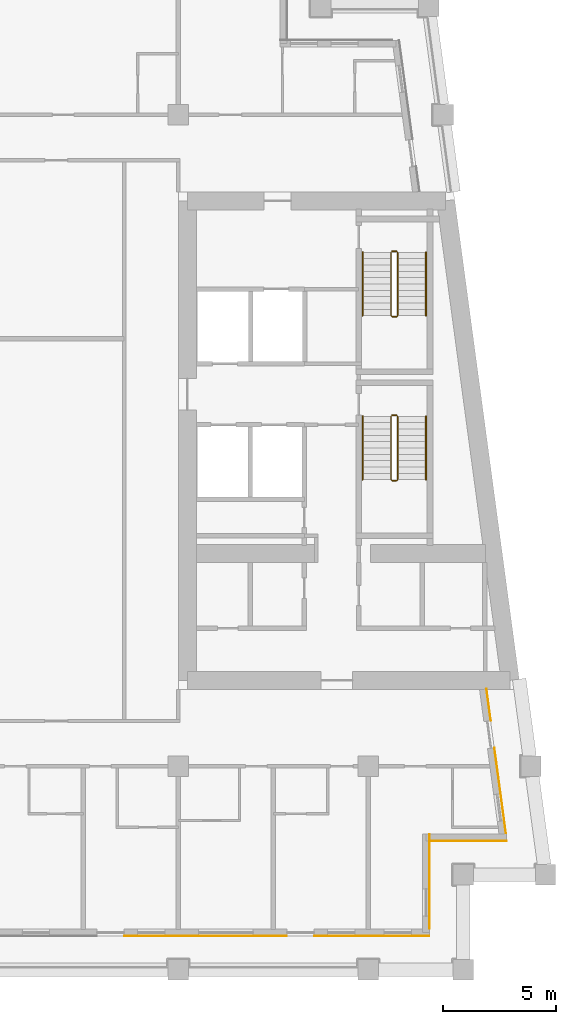
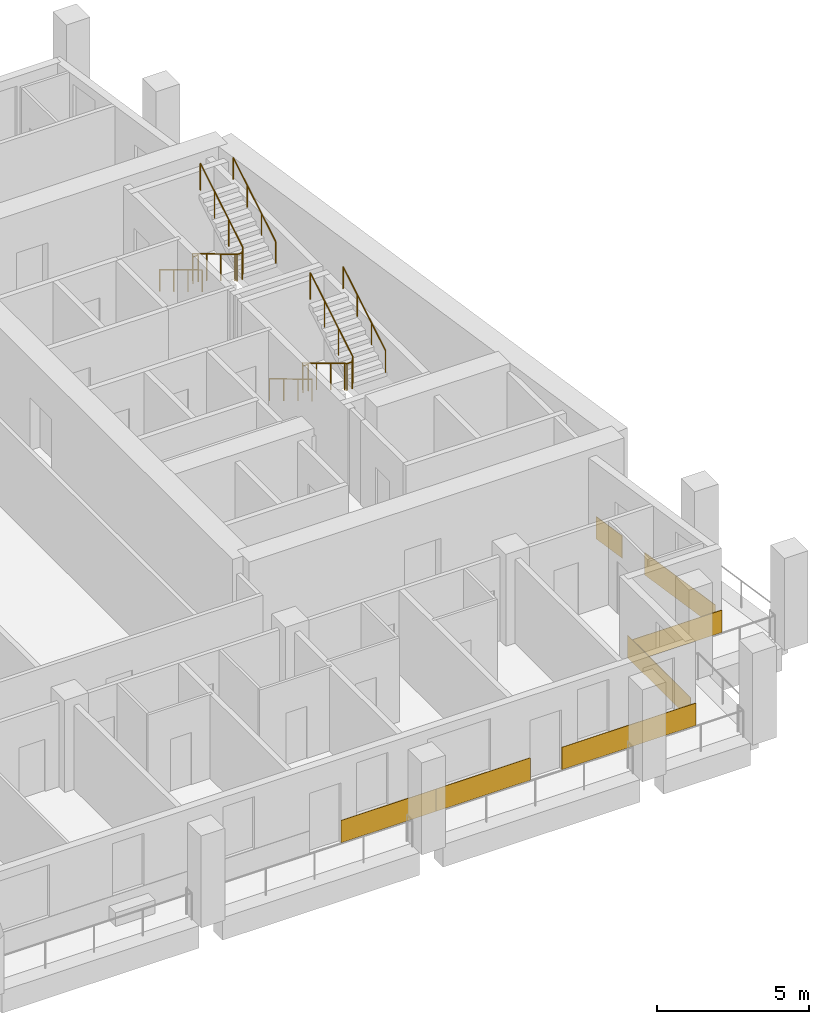
# One storey, part 11 of 13: 8 railings, 7 coverings.
"""IFC4 building model written with IfcOpenShell, lengths in metres."""

from ifc_helpers import new_model, si_unit, direction, frame, origin, origin_2d, place, context, subcontext, project, spatial, rectangle, circle, extrude, material, layer, layer_set, type_object, element, save


model = new_model("IFC4")

# Units and contexts
model_context = context("Model", 3, precision=1e-05, world=origin(), true_north=direction((0.0, 1.0)))
body_context = subcontext(model_context, "Body", "Model", "MODEL_VIEW")
ifc_project = project(units=[si_unit("LENGTHUNIT", "METRE"), si_unit("AREAUNIT", "SQUARE_METRE"), si_unit("VOLUMEUNIT", "CUBIC_METRE"), si_unit("PLANEANGLEUNIT", "RADIAN"), si_unit("MASSUNIT", "GRAM", prefix="KILO")], contexts=[model_context])

# Site, building, storey
site_placement = place(None, origin())
site = spatial("IfcSite", under=ifc_project, at=site_placement, CompositionType="ELEMENT")
building_placement = place(site_placement, origin())
building = spatial("IfcBuilding", under=site, at=building_placement, Name="Candeia Pilgrim Tower and Theatre", CompositionType="ELEMENT")
storey_placement = place(building_placement, frame((0.0, 0.0, 220.699951171875)))
storey = spatial("IfcBuildingStorey", under=building, at=storey_placement, Name="L53", CompositionType="ELEMENT", Elevation=220.699951171875)

# Coverings
ifc_material_1 = material(Name="Glazed ceramic tile bottle green")
ifc_layer_1 = layer(ifc_material_1, 0.02001953125)
ifc_layer_set_1 = layer_set([ifc_layer_1], Name="Glazed ceramic tile bottle green")
covering_type_1 = type_object("IfcCoveringType", Name="Glazed ceramic tile bottle green", PredefinedType="CLADDING", material=ifc_layer_set_1)
covering_1_placement = place(storey_placement, frame((125.39990234375, 99.489990234375, 0.0), z_axis=(0.0, 0.0, 1.0), x_axis=(1.0, 0.0, 0.0)))
element("IfcCovering", 1, at=covering_1_placement, inside=storey, type_object=covering_type_1, Name="Tile cladding bottle green L53", PredefinedType="CLADDING", context=body_context, shape_type="SweptSolid", body=[
    extrude(rectangle(XDim=3.60009765625, YDim=0.02001953125, at=origin_2d()), origin(), (0.0, 0.0, 1.0), 0.89990234375),
])
covering_2_placement = place(storey_placement, frame((137.110107421875, 101.909912109375, 0.0), z_axis=(0.0, 0.0, 1.0), x_axis=(0.0, 1.0, 0.0)))
element("IfcCovering", 2, at=covering_2_placement, inside=storey, type_object=covering_type_1, Name="Tile cladding bottle green L53", PredefinedType="CLADDING", context=body_context, shape_type="SweptSolid", body=[
    extrude(rectangle(XDim=4.179931640625, YDim=0.02001953125, at=origin_2d()), origin(), (0.0, 0.0, 1.0), 0.89990234375),
])
covering_3_placement = place(storey_placement, frame((140.228515625, 105.933349609375, 0.0), z_axis=(0.0, 0.0, 1.0), x_axis=(-0.133412012145, 0.991060661622, 0.0)))
element("IfcCovering", 3, at=covering_3_placement, inside=storey, type_object=covering_type_1, Name="Tile cladding bottle green L53", PredefinedType="CLADDING", context=body_context, shape_type="SweptSolid", body=[
    extrude(rectangle(XDim=3.821044921875, YDim=0.02001953125, at=origin_2d()), origin(), (0.0, 0.0, 1.0), 0.89990234375),
])
covering_4_placement = place(storey_placement, frame((139.718994140625, 109.71875, 0.0), z_axis=(0.0, 0.0, 1.0), x_axis=(-0.133412012145, 0.991060661622, 0.0)))
element("IfcCovering", 4, at=covering_4_placement, inside=storey, type_object=covering_type_1, Name="Tile cladding bottle green L53", PredefinedType="CLADDING", context=body_context, shape_type="SweptSolid", body=[
    extrude(rectangle(XDim=1.41796875, YDim=0.02001953125, at=origin_2d()), origin(), (0.0, 0.0, 1.0), 0.89990234375),
])
ifc_material_2 = material(Name="Glazed ceramic tile rust")
ifc_layer_2 = layer(ifc_material_2, 0.02001953125)
ifc_layer_set_2 = layer_set([ifc_layer_2], Name="Glazed ceramic tile rust")
covering_type_2 = type_object("IfcCoveringType", Name="Glazed ceramic tile rust", PredefinedType="CLADDING", material=ifc_layer_set_2)
covering_5_placement = place(storey_placement, frame((129.0, 99.489990234375, 0.0), z_axis=(0.0, 0.0, 1.0), x_axis=(1.0, 0.0, 0.0)))
element("IfcCovering", 5, at=covering_5_placement, inside=storey, type_object=covering_type_2, Name="Tile cladding rust L53", PredefinedType="CLADDING", context=body_context, shape_type="SweptSolid", body=[
    extrude(rectangle(XDim=3.60009765625, YDim=0.02001953125, at=origin_2d()), origin(), (0.0, 0.0, 1.0), 0.89990234375),
])
covering_6_placement = place(storey_placement, frame((134.550048828125, 99.489990234375, 0.0), z_axis=(0.0, 0.0, 1.0), x_axis=(1.0, 0.0, 0.0)))
element("IfcCovering", 6, at=covering_6_placement, inside=storey, type_object=covering_type_2, Name="Tile cladding rust L53", PredefinedType="CLADDING", context=body_context, shape_type="SweptSolid", body=[
    extrude(rectangle(XDim=5.10009765625, YDim=0.02001953125, at=origin_2d()), origin(), (0.0, 0.0, 1.0), 0.89990234375),
])
covering_7_placement = place(storey_placement, frame((138.819580078125, 103.68994140625, 0.0), z_axis=(0.0, 0.0, 1.0), x_axis=(1.0, 0.0, 0.0)))
element("IfcCovering", 7, at=covering_7_placement, inside=storey, type_object=covering_type_2, Name="Tile cladding rust L53", PredefinedType="CLADDING", context=body_context, shape_type="SweptSolid", body=[
    extrude(rectangle(XDim=3.399169921875, YDim=0.02001953125, at=origin_2d()), origin(), (0.0, 0.0, 1.0), 0.89990234375),
])

# Railings
ifc_material_3 = material(Name="Stainless steel balustrade", Category="steel")
railing_type_1 = type_object("IfcRailingType", Name="RL-GUARD-1100", PredefinedType="GUARDRAIL", material=ifc_material_3)
railing_1_placement = place(storey_placement, frame((135.39794921875, 122.47509765625, 0.168212890625)))
element("IfcRailing", 8, at=railing_1_placement, inside=storey, type_object=railing_type_1, Name="L53 ST3 stair guard 1", PredefinedType="GUARDRAIL", context=body_context, shape_type="SweptSolid", body=[
    extrude(circle(Radius=0.02392578125, at=origin_2d()), frame((0.0, 0.0, 1.076171875), z_axis=(0.0, -0.857242210791, 0.514913383045), x_axis=(1.0, 0.0, 0.0)), (0.0, 0.0, 1.0), 3.266357421875),
    extrude(circle(Radius=0.02392578125, at=origin_2d()), frame((0.0, -2.800048828125, 2.7578125), z_axis=(0.707106781187, -0.707106781187, 0.0), x_axis=(0.707106781187, 0.707106781187, 0.0)), (0.0, 0.0, 1.0), 0.07080078125),
    extrude(circle(Radius=0.02392578125, at=origin_2d()), frame((0.050048828125, -2.85009765625, 2.7578125), z_axis=(1.0, 0.0, 0.0), x_axis=(0.0, 1.0, 0.0)), (0.0, 0.0, 1.0), 0.199951171875),
    extrude(circle(Radius=0.02392578125, at=origin_2d()), frame((0.25, -2.85009765625, 2.7578125), z_axis=(0.274243871929, 0.274243871929, 0.92172696468), x_axis=(-0.707106781187, 0.707106781187, 0.0)), (0.0, 0.0, 1.0), 0.1826171875),
    extrude(circle(Radius=0.02392578125, at=origin_2d()), frame((0.300048828125, -2.800048828125, 2.92626953125), z_axis=(0.0, 0.857275202839, 0.514858452973), x_axis=(-1.0, 0.0, 0.0)), (0.0, 0.0, 1.0), 3.26611328125),
    extrude(circle(Radius=0.02099609375, at=origin_2d()), origin(), (0.0, 0.0, 1.0), 1.052001953125),
    extrude(circle(Radius=0.02099609375, at=origin_2d()), frame((0.0, -0.933349609375, 0.560546875)), (0.0, 0.0, 1.0), 1.052001953125),
    extrude(circle(Radius=0.02099609375, at=origin_2d()), frame((0.0, -1.86669921875, 1.121337890625)), (0.0, 0.0, 1.0), 1.052001953125),
    extrude(circle(Radius=0.02099609375, at=origin_2d()), frame((0.0, -2.800048828125, 1.681884765625)), (0.0, 0.0, 1.0), 1.052001953125),
    extrude(circle(Radius=0.02099609375, at=origin_2d()), frame((0.050048828125, -2.85009765625, 1.681884765625)), (0.0, 0.0, 1.0), 1.052001953125),
    extrude(circle(Radius=0.02099609375, at=origin_2d()), frame((0.25, -2.85009765625, 1.681884765625)), (0.0, 0.0, 1.0), 1.052001953125),
    extrude(circle(Radius=0.02099609375, at=origin_2d()), frame((0.300048828125, -2.800048828125, 1.85009765625)), (0.0, 0.0, 1.0), 1.052001953125),
    extrude(circle(Radius=0.02099609375, at=origin_2d()), frame((0.300048828125, -1.86669921875, 2.41064453125)), (0.0, 0.0, 1.0), 1.052001953125),
    extrude(circle(Radius=0.02099609375, at=origin_2d()), frame((0.300048828125, -0.933349609375, 2.97119140625)), (0.0, 0.0, 1.0), 1.052001953125),
    extrude(circle(Radius=0.02099609375, at=origin_2d()), frame((0.300048828125, 0.0, 3.53173828125)), (0.0, 0.0, 1.0), 1.052001953125),
])
railing_2_placement = place(storey_placement, frame((135.447998046875, 122.52490234375, 0.0)))
element("IfcRailing", 9, at=railing_2_placement, inside=storey, type_object=railing_type_1, Name="L53 ST3 stair guard 2", PredefinedType="GUARDRAIL", context=body_context, shape_type="SweptSolid", body=[
    extrude(circle(Radius=0.02392578125, at=origin_2d()), frame((0.0, 0.0, 1.076171875), z_axis=(1.0, 0.0, 0.0), x_axis=(0.0, 1.0, 0.0)), (0.0, 0.0, 1.0), 0.199951171875),
    extrude(circle(Radius=0.02099609375, at=origin_2d()), origin(), (0.0, 0.0, 1.0), 1.052001953125),
    extrude(circle(Radius=0.02099609375, at=origin_2d()), frame((0.199951171875, 0.0, 0.0)), (0.0, 0.0, 1.0), 1.052001953125),
])
railing_3_placement = place(storey_placement, frame((135.39794921875, 129.72509765625, 0.168212890625)))
element("IfcRailing", 10, at=railing_3_placement, inside=storey, type_object=railing_type_1, Name="L53 ST4 stair guard 1", PredefinedType="GUARDRAIL", context=body_context, shape_type="SweptSolid", body=[
    extrude(circle(Radius=0.02392578125, at=origin_2d()), frame((0.0, 0.0, 1.076171875), z_axis=(0.0, -0.857242210791, 0.514913383045), x_axis=(1.0, 0.0, 0.0)), (0.0, 0.0, 1.0), 3.266357421875),
    extrude(circle(Radius=0.02392578125, at=origin_2d()), frame((0.0, -2.800048828125, 2.7578125), z_axis=(0.707106781187, -0.707106781187, 0.0), x_axis=(0.707106781187, 0.707106781187, 0.0)), (0.0, 0.0, 1.0), 0.07080078125),
    extrude(circle(Radius=0.02392578125, at=origin_2d()), frame((0.050048828125, -2.85009765625, 2.7578125), z_axis=(1.0, 0.0, 0.0), x_axis=(0.0, 1.0, 0.0)), (0.0, 0.0, 1.0), 0.199951171875),
    extrude(circle(Radius=0.02392578125, at=origin_2d()), frame((0.25, -2.85009765625, 2.7578125), z_axis=(0.274243871929, 0.274243871929, 0.92172696468), x_axis=(-0.707106781187, 0.707106781187, 0.0)), (0.0, 0.0, 1.0), 0.1826171875),
    extrude(circle(Radius=0.02392578125, at=origin_2d()), frame((0.300048828125, -2.800048828125, 2.92626953125), z_axis=(0.0, 0.857275202839, 0.514858452973), x_axis=(-1.0, 0.0, 0.0)), (0.0, 0.0, 1.0), 3.26611328125),
    extrude(circle(Radius=0.02099609375, at=origin_2d()), origin(), (0.0, 0.0, 1.0), 1.052001953125),
    extrude(circle(Radius=0.02099609375, at=origin_2d()), frame((0.0, -0.933349609375, 0.560546875)), (0.0, 0.0, 1.0), 1.052001953125),
    extrude(circle(Radius=0.02099609375, at=origin_2d()), frame((0.0, -1.86669921875, 1.121337890625)), (0.0, 0.0, 1.0), 1.052001953125),
    extrude(circle(Radius=0.02099609375, at=origin_2d()), frame((0.0, -2.800048828125, 1.681884765625)), (0.0, 0.0, 1.0), 1.052001953125),
    extrude(circle(Radius=0.02099609375, at=origin_2d()), frame((0.050048828125, -2.85009765625, 1.681884765625)), (0.0, 0.0, 1.0), 1.052001953125),
    extrude(circle(Radius=0.02099609375, at=origin_2d()), frame((0.25, -2.85009765625, 1.681884765625)), (0.0, 0.0, 1.0), 1.052001953125),
    extrude(circle(Radius=0.02099609375, at=origin_2d()), frame((0.300048828125, -2.800048828125, 1.85009765625)), (0.0, 0.0, 1.0), 1.052001953125),
    extrude(circle(Radius=0.02099609375, at=origin_2d()), frame((0.300048828125, -1.86669921875, 2.41064453125)), (0.0, 0.0, 1.0), 1.052001953125),
    extrude(circle(Radius=0.02099609375, at=origin_2d()), frame((0.300048828125, -0.933349609375, 2.97119140625)), (0.0, 0.0, 1.0), 1.052001953125),
    extrude(circle(Radius=0.02099609375, at=origin_2d()), frame((0.300048828125, 0.0, 3.53173828125)), (0.0, 0.0, 1.0), 1.052001953125),
])
railing_4_placement = place(storey_placement, frame((135.447998046875, 129.77490234375, 0.0)))
element("IfcRailing", 11, at=railing_4_placement, inside=storey, type_object=railing_type_1, Name="L53 ST4 stair guard 2", PredefinedType="GUARDRAIL", context=body_context, shape_type="SweptSolid", body=[
    extrude(circle(Radius=0.02392578125, at=origin_2d()), frame((0.0, 0.0, 1.076171875), z_axis=(1.0, 0.0, 0.0), x_axis=(0.0, 1.0, 0.0)), (0.0, 0.0, 1.0), 0.199951171875),
    extrude(circle(Radius=0.02099609375, at=origin_2d()), origin(), (0.0, 0.0, 1.0), 1.052001953125),
    extrude(circle(Radius=0.02099609375, at=origin_2d()), frame((0.199951171875, 0.0, 0.0)), (0.0, 0.0, 1.0), 1.052001953125),
])
ifc_material_4 = material(Name="Stainless steel handrail", Category="steel")
railing_type_2 = type_object("IfcRailingType", Name="RL-HANDRAIL-900", PredefinedType="HANDRAIL", material=ifc_material_4)
railing_5_placement = place(storey_placement, frame((134.14794921875, 122.47509765625, 0.168212890625)))
element("IfcRailing", 12, at=railing_5_placement, inside=storey, type_object=railing_type_2, Name="L53 ST3 stair handrail 1", PredefinedType="HANDRAIL", context=body_context, shape_type="SweptSolid", body=[
    extrude(circle(Radius=0.02392578125, at=origin_2d()), frame((0.0, 0.0, 0.8759765625), z_axis=(0.0, -0.857242210791, 0.514913383045), x_axis=(1.0, 0.0, 0.0)), (0.0, 0.0, 1.0), 3.266357421875),
    extrude(circle(Radius=0.02099609375, at=origin_2d()), origin(), (0.0, 0.0, 1.0), 0.851806640625),
    extrude(circle(Radius=0.02099609375, at=origin_2d()), frame((0.0, -0.933349609375, 0.560546875)), (0.0, 0.0, 1.0), 0.851806640625),
    extrude(circle(Radius=0.02099609375, at=origin_2d()), frame((0.0, -1.86669921875, 1.121337890625)), (0.0, 0.0, 1.0), 0.851806640625),
    extrude(circle(Radius=0.02099609375, at=origin_2d()), frame((0.0, -2.800048828125, 1.681884765625)), (0.0, 0.0, 1.0), 0.851806640625),
])
railing_6_placement = place(storey_placement, frame((136.947998046875, 119.675048828125, 2.018310546875)))
element("IfcRailing", 13, at=railing_6_placement, inside=storey, type_object=railing_type_2, Name="L53 ST3 stair handrail 2", PredefinedType="HANDRAIL", context=body_context, shape_type="SweptSolid", body=[
    extrude(circle(Radius=0.02392578125, at=origin_2d()), frame((0.0, 0.0, 0.8759765625), z_axis=(0.0, 0.857275202839, 0.514858452973), x_axis=(-1.0, 0.0, 0.0)), (0.0, 0.0, 1.0), 3.26611328125),
    extrude(circle(Radius=0.02099609375, at=origin_2d()), origin(), (0.0, 0.0, 1.0), 0.851806640625),
    extrude(circle(Radius=0.02099609375, at=origin_2d()), frame((0.0, 0.933349609375, 0.560546875)), (0.0, 0.0, 1.0), 0.851806640625),
    extrude(circle(Radius=0.02099609375, at=origin_2d()), frame((0.0, 1.86669921875, 1.12109375)), (0.0, 0.0, 1.0), 0.851806640625),
    extrude(circle(Radius=0.02099609375, at=origin_2d()), frame((0.0, 2.800048828125, 1.681640625)), (0.0, 0.0, 1.0), 0.851806640625),
])
railing_7_placement = place(storey_placement, frame((134.14794921875, 129.72509765625, 0.168212890625)))
element("IfcRailing", 14, at=railing_7_placement, inside=storey, type_object=railing_type_2, Name="L53 ST4 stair handrail 1", PredefinedType="HANDRAIL", context=body_context, shape_type="SweptSolid", body=[
    extrude(circle(Radius=0.02392578125, at=origin_2d()), frame((0.0, 0.0, 0.8759765625), z_axis=(0.0, -0.857242210791, 0.514913383045), x_axis=(1.0, 0.0, 0.0)), (0.0, 0.0, 1.0), 3.266357421875),
    extrude(circle(Radius=0.02099609375, at=origin_2d()), origin(), (0.0, 0.0, 1.0), 0.851806640625),
    extrude(circle(Radius=0.02099609375, at=origin_2d()), frame((0.0, -0.933349609375, 0.560546875)), (0.0, 0.0, 1.0), 0.851806640625),
    extrude(circle(Radius=0.02099609375, at=origin_2d()), frame((0.0, -1.86669921875, 1.121337890625)), (0.0, 0.0, 1.0), 0.851806640625),
    extrude(circle(Radius=0.02099609375, at=origin_2d()), frame((0.0, -2.800048828125, 1.681884765625)), (0.0, 0.0, 1.0), 0.851806640625),
])
railing_8_placement = place(storey_placement, frame((136.947998046875, 126.925048828125, 2.018310546875)))
element("IfcRailing", 15, at=railing_8_placement, inside=storey, type_object=railing_type_2, Name="L53 ST4 stair handrail 2", PredefinedType="HANDRAIL", context=body_context, shape_type="SweptSolid", body=[
    extrude(circle(Radius=0.02392578125, at=origin_2d()), frame((0.0, 0.0, 0.8759765625), z_axis=(0.0, 0.857275202839, 0.514858452973), x_axis=(-1.0, 0.0, 0.0)), (0.0, 0.0, 1.0), 3.26611328125),
    extrude(circle(Radius=0.02099609375, at=origin_2d()), origin(), (0.0, 0.0, 1.0), 0.851806640625),
    extrude(circle(Radius=0.02099609375, at=origin_2d()), frame((0.0, 0.933349609375, 0.560546875)), (0.0, 0.0, 1.0), 0.851806640625),
    extrude(circle(Radius=0.02099609375, at=origin_2d()), frame((0.0, 1.86669921875, 1.12109375)), (0.0, 0.0, 1.0), 0.851806640625),
    extrude(circle(Radius=0.02099609375, at=origin_2d()), frame((0.0, 2.800048828125, 1.681640625)), (0.0, 0.0, 1.0), 0.851806640625),
])

save(model, "model.ifc")
